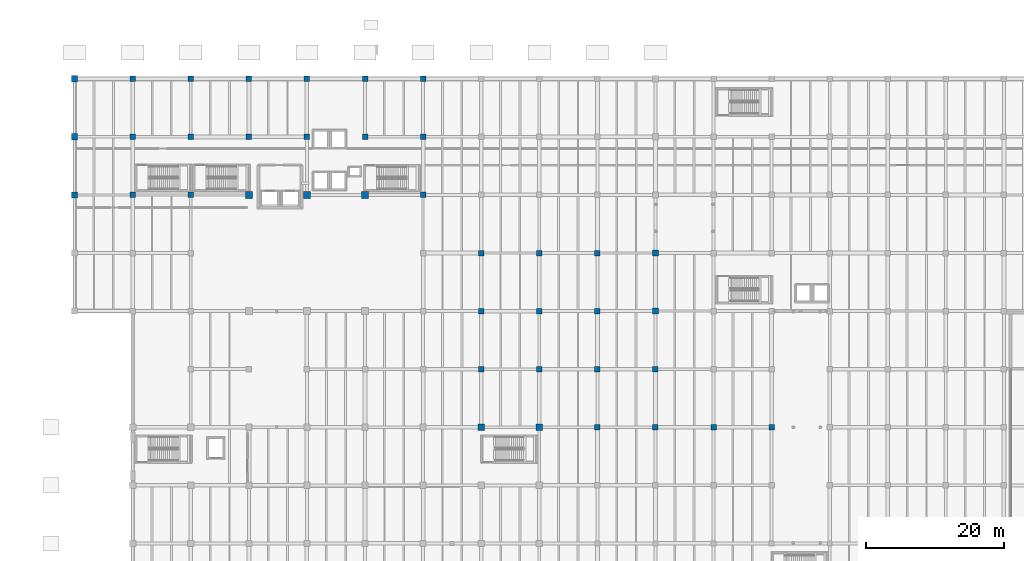
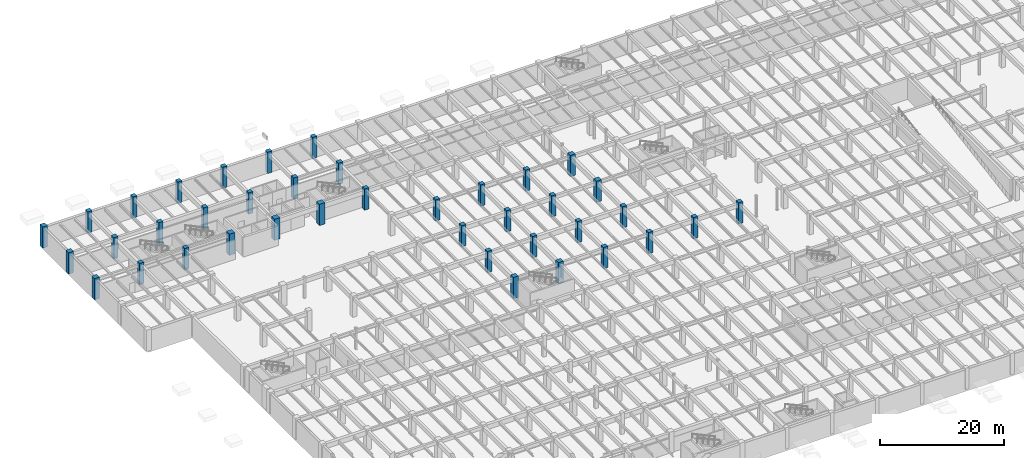
# One storey, part 9 of 63: 39 columns.
"""IFC4 building model written with IfcOpenShell, lengths in metres."""

from ifc_helpers import new_model, si_unit, direction, frame, origin, origin_2d, place, context, subcontext, project, spatial, rectangle, extrude, material, material_profile, profile_set, type_object, element, save


model = new_model("IFC4")

# Units and contexts
model_context = context("Model", 3, precision=1e-05, world=origin(), true_north=direction((0.0, 1.0)))
body_context = subcontext(model_context, "Body", "Model", "MODEL_VIEW")
ifc_project = project(units=[si_unit("LENGTHUNIT", "METRE"), si_unit("AREAUNIT", "SQUARE_METRE"), si_unit("VOLUMEUNIT", "CUBIC_METRE"), si_unit("PLANEANGLEUNIT", "RADIAN"), si_unit("MASSUNIT", "GRAM", prefix="KILO")], contexts=[model_context])

# Site, building, storey
site_placement = place(None, origin())
site = spatial("IfcSite", under=ifc_project, at=site_placement, CompositionType="ELEMENT")
building_placement = place(site_placement, origin())
building = spatial("IfcBuilding", under=site, at=building_placement, Name="Cumbredor Promenade Congress Hotel", CompositionType="ELEMENT")
storey_placement = place(building_placement, frame((0.0, 0.0, -4.199951171875)))
storey = spatial("IfcBuildingStorey", under=building, at=storey_placement, Name="B01", CompositionType="ELEMENT", Elevation=-4.199951171875)

# Columns
ifc_material = material(Name="Concrete C50/60", Category="concrete")
ifc_material_profile_1 = material_profile(ifc_material, rectangle(XDim=1.0, YDim=1.0, at=origin_2d()), Name="RC 1000x1000")
ifc_profile_set_1 = profile_set([ifc_material_profile_1], Name="Concrete C50/60")
column_type_1 = type_object("IfcColumnType", Name="COL-RC-1000", PredefinedType="COLUMN", material=ifc_profile_set_1)
for number, where, z_axis, x_axis, name in (
    (1, (25.199951171875, 100.800048828125, 0.0), (0.0, 0.0, 1.0), (1.0, 0.0, 0.0), "B01 Structural Column 043"),
    (2, (33.60009765625, 100.800048828125, 0.0), (0.0, 0.0, 1.0), (1.0, 0.0, 0.0), "B01 Structural Column 056"),
    (3, (42.0, 100.800048828125, 0.0), (0.0, 0.0, 1.0), (1.0, 0.0, 0.0), "B01 Structural Column 069"),
):
    element("IfcColumn", number, at=place(storey_placement, frame(where, z_axis=z_axis, x_axis=x_axis)), inside=storey, type_object=column_type_1, Name=name, PredefinedType="COLUMN", context=body_context, shape_type="SweptSolid", body=[
        extrude(rectangle(XDim=1.0, YDim=1.0, at=origin_2d()), origin(), (0.0, 0.0, 1.0), 4.199951171875),
    ])
ifc_material_profile_2 = material_profile(ifc_material, rectangle(XDim=0.800048828125, YDim=0.800048828125, at=origin_2d()), Name="RC 800x800")
ifc_profile_set_2 = profile_set([ifc_material_profile_2], Name="Concrete C50/60")
column_type_2 = type_object("IfcColumnType", Name="COL-RC-800", PredefinedType="COLUMN", material=ifc_profile_set_2)
for number, where, z_axis, x_axis, name in (
    (4, (8.39990234375, 100.800048828125, 0.0), (0.0, 0.0, 1.0), (1.0, 0.0, 0.0), "B01 Structural Column 016"),
    (5, (8.39990234375, 109.199951171875, 0.0), (0.0, 0.0, 1.0), (1.0, 0.0, 0.0), "B01 Structural Column 017"),
    (6, (8.39990234375, 117.60009765625, 0.0), (0.0, 0.0, 1.0), (1.0, 0.0, 0.0), "B01 Structural Column 018"),
    (7, (16.800048828125, 100.800048828125, 0.0), (0.0, 0.0, 1.0), (1.0, 0.0, 0.0), "B01 Structural Column 030"),
    (8, (16.800048828125, 109.199951171875, 0.0), (0.0, 0.0, 1.0), (1.0, 0.0, 0.0), "B01 Structural Column 031"),
    (9, (16.800048828125, 117.60009765625, 0.0), (0.0, 0.0, 1.0), (1.0, 0.0, 0.0), "B01 Structural Column 032"),
    (10, (25.199951171875, 109.199951171875, 0.0), (0.0, 0.0, 1.0), (1.0, 0.0, 0.0), "B01 Structural Column 044"),
    (11, (25.199951171875, 117.60009765625, 0.0), (0.0, 0.0, 1.0), (1.0, 0.0, 0.0), "B01 Structural Column 045"),
    (12, (33.60009765625, 109.199951171875, 0.0), (0.0, 0.0, 1.0), (1.0, 0.0, 0.0), "B01 Structural Column 057"),
    (13, (33.60009765625, 117.60009765625, 0.0), (0.0, 0.0, 1.0), (1.0, 0.0, 0.0), "B01 Structural Column 058"),
    (14, (42.0, 109.199951171875, 0.0), (0.0, 0.0, 1.0), (1.0, 0.0, 0.0), "B01 Structural Column 070"),
    (15, (42.0, 117.60009765625, 0.0), (0.0, 0.0, 1.0), (1.0, 0.0, 0.0), "B01 Structural Column 071"),
    (16, (50.39990234375, 100.800048828125, 0.0), (0.0, 0.0, 1.0), (1.0, 0.0, 0.0), "B01 Structural Column 083"),
    (17, (50.39990234375, 109.199951171875, 0.0), (0.0, 0.0, 1.0), (1.0, 0.0, 0.0), "B01 Structural Column 084"),
    (18, (50.39990234375, 117.60009765625, 0.0), (0.0, 0.0, 1.0), (1.0, 0.0, 0.0), "B01 Structural Column 085"),
    (19, (58.800048828125, 75.60009765625, 0.0), (0.0, 0.0, 1.0), (1.0, 0.0, 0.0), "B01 Structural Column 094"),
    (20, (58.800048828125, 84.0, 0.0), (0.0, 0.0, 1.0), (1.0, 0.0, 0.0), "B01 Structural Column 095"),
    (21, (58.800048828125, 92.39990234375, 0.0), (0.0, 0.0, 1.0), (1.0, 0.0, 0.0), "B01 Structural Column 096"),
    (22, (67.199951171875, 75.60009765625, 0.0), (0.0, 0.0, 1.0), (1.0, 0.0, 0.0), "B01 Structural Column 108"),
    (23, (67.199951171875, 84.0, 0.0), (0.0, 0.0, 1.0), (1.0, 0.0, 0.0), "B01 Structural Column 109"),
    (24, (67.199951171875, 92.39990234375, 0.0), (0.0, 0.0, 1.0), (1.0, 0.0, 0.0), "B01 Structural Column 110"),
    (25, (75.60009765625, 67.199951171875, 0.0), (0.0, 0.0, 1.0), (1.0, 0.0, 0.0), "B01 Structural Column 121"),
    (26, (75.60009765625, 75.60009765625, 0.0), (0.0, 0.0, 1.0), (1.0, 0.0, 0.0), "B01 Structural Column 122"),
    (27, (75.60009765625, 84.0, 0.0), (0.0, 0.0, 1.0), (1.0, 0.0, 0.0), "B01 Structural Column 123"),
    (28, (75.60009765625, 92.39990234375, 0.0), (0.0, 0.0, 1.0), (1.0, 0.0, 0.0), "B01 Structural Column 124"),
    (29, (84.0, 67.199951171875, 0.0), (0.0, 0.0, 1.0), (1.0, 0.0, 0.0), "B01 Structural Column 135"),
    (30, (84.0, 75.60009765625, 0.0), (0.0, 0.0, 1.0), (1.0, 0.0, 0.0), "B01 Structural Column 136"),
    (31, (92.39990234375, 67.199951171875, 0.0), (0.0, 0.0, 1.0), (1.0, 0.0, 0.0), "B01 Structural Column 149"),
    (32, (100.800048828125, 67.199951171875, 0.0), (0.0, 0.0, 1.0), (1.0, 0.0, 0.0), "B01 Structural Column 163"),
):
    element("IfcColumn", number, at=place(storey_placement, frame(where, z_axis=z_axis, x_axis=x_axis)), inside=storey, type_object=column_type_2, Name=name, PredefinedType="COLUMN", context=body_context, shape_type="SweptSolid", body=[
        extrude(rectangle(XDim=0.800048828125, YDim=0.800048828125, at=origin_2d()), origin(), (0.0, 0.0, 1.0), 4.199951171875),
    ])
ifc_material_profile_3 = material_profile(ifc_material, rectangle(XDim=0.89990234375, YDim=0.89990234375, at=origin_2d()), Name="RC 900x900")
ifc_profile_set_3 = profile_set([ifc_material_profile_3], Name="Concrete C50/60")
column_type_3 = type_object("IfcColumnType", Name="COL-RC-900", PredefinedType="COLUMN", material=ifc_profile_set_3)
for number, where, z_axis, x_axis, name in (
    (33, (0.0, 100.800048828125, 0.0), (0.0, 0.0, 1.0), (1.0, 0.0, 0.0), "B01 Structural Column 003"),
    (34, (0.0, 109.199951171875, 0.0), (0.0, 0.0, 1.0), (1.0, 0.0, 0.0), "B01 Structural Column 004"),
    (35, (0.0, 117.60009765625, 0.0), (0.0, 0.0, 1.0), (1.0, 0.0, 0.0), "B01 Structural Column 005"),
    (36, (58.800048828125, 67.199951171875, 0.0), (0.0, 0.0, 1.0), (1.0, 0.0, 0.0), "B01 Structural Column 093"),
    (37, (67.199951171875, 67.199951171875, 0.0), (0.0, 0.0, 1.0), (1.0, 0.0, 0.0), "B01 Structural Column 107"),
    (38, (84.0, 84.0, 0.0), (0.0, 0.0, 1.0), (1.0, 0.0, 0.0), "B01 Structural Column 137"),
    (39, (84.0, 92.39990234375, 0.0), (0.0, 0.0, 1.0), (1.0, 0.0, 0.0), "B01 Structural Column 138"),
):
    element("IfcColumn", number, at=place(storey_placement, frame(where, z_axis=z_axis, x_axis=x_axis)), inside=storey, type_object=column_type_3, Name=name, PredefinedType="COLUMN", context=body_context, shape_type="SweptSolid", body=[
        extrude(rectangle(XDim=0.89990234375, YDim=0.89990234375, at=origin_2d()), origin(), (0.0, 0.0, 1.0), 4.199951171875),
    ])

save(model, "model.ifc")
